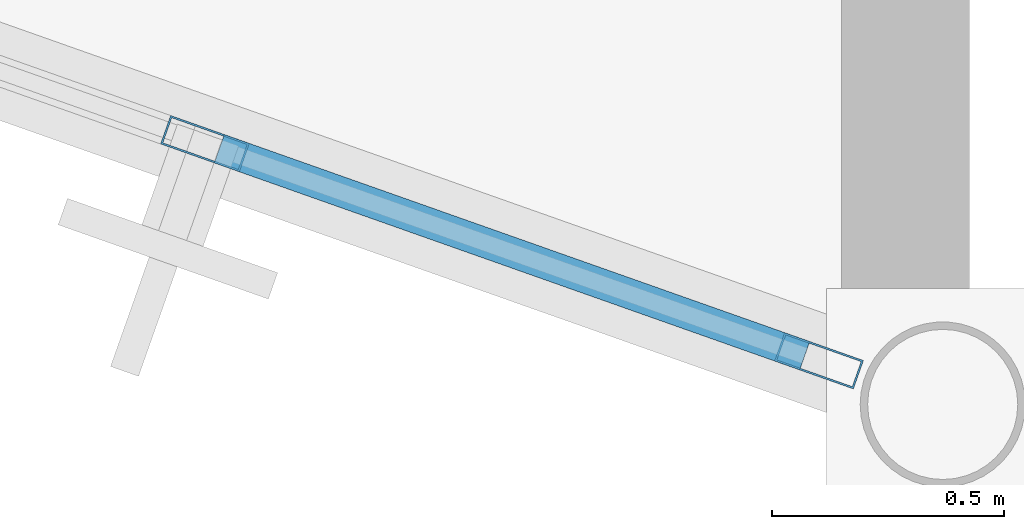
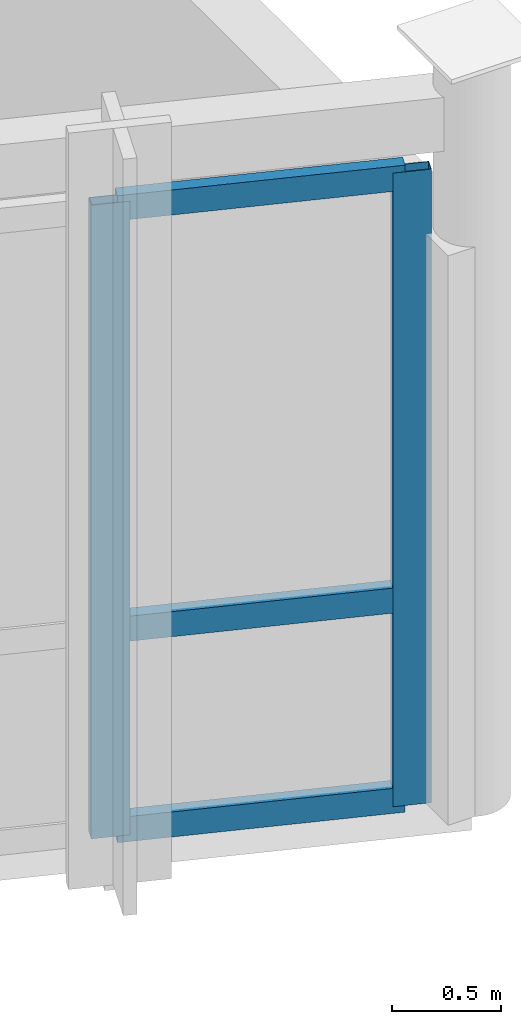
# One storey, part 11 of 26: 5 members, 1 element without a shape of its own.
"""IFC4 building model written with IfcOpenShell, lengths in metres."""

from ifc_helpers import new_model, si_unit, direction, frame, origin, origin_2d, place, context, subcontext, project, spatial, hollow_rectangle, extrude, material, layer, layer_set, material_profile, profile_set, type_object, element, aggregate, save


model = new_model("IFC4")

# Units and contexts
model_context = context("Model", 3, precision=1e-05, world=origin(), true_north=direction((0.0, 1.0)))
body_context = subcontext(model_context, "Body", "Model", "MODEL_VIEW")
ifc_project = project(units=[si_unit("LENGTHUNIT", "METRE"), si_unit("AREAUNIT", "SQUARE_METRE"), si_unit("VOLUMEUNIT", "CUBIC_METRE"), si_unit("PLANEANGLEUNIT", "RADIAN"), si_unit("MASSUNIT", "GRAM", prefix="KILO")], contexts=[model_context])

# Site, building, storey
site_placement = place(None, origin())
site = spatial("IfcSite", under=ifc_project, at=site_placement, CompositionType="ELEMENT")
building_placement = place(site_placement, origin())
building = spatial("IfcBuilding", under=site, at=building_placement, Name="Selat Folded Stagehouse", CompositionType="ELEMENT")
storey_placement = place(building_placement, frame((0.0, 0.0, 23.39990234375)))
storey = spatial("IfcBuildingStorey", under=building, at=storey_placement, Name="L05", CompositionType="ELEMENT", Elevation=23.39990234375)

# Curtain wall, members
ifc_material = material(Name="Aluminium 6063-T6", Category="aluminium")
ifc_layer = layer(ifc_material, 0.18505859375)
ifc_layer_set = layer_set([ifc_layer], Name="Aluminium 6063-T6")
curtain_wall_type = type_object("IfcCurtainWallType", Name="CW-DRM-UPPER", PredefinedType="NOTDEFINED", material=ifc_layer_set)
curtain_wall_placement = place(storey_placement, origin())
curtain_wall = element("IfcCurtainWall", 1, at=curtain_wall_placement, inside=storey, type_object=curtain_wall_type, Name="L05 curtain wall CW-DRM-L05-19", PredefinedType="NOTDEFINED")
ifc_material_profile_1 = material_profile(ifc_material, hollow_rectangle(XDim=0.06494140625, YDim=0.179931640625, WallThickness=0.00390625, at=origin_2d()), Name="ALU 180x65x4.0")
ifc_profile_set_1 = profile_set([ifc_material_profile_1], Name="Aluminium 6063-T6")
member_type_1 = type_object("IfcMemberType", Name="CWM-MUL-180x65", PredefinedType="MULLION", material=ifc_profile_set_1)
member_1_placement = place(storey_placement, frame((33.333740234375, 2.304931640625, 0.0), z_axis=(0.0, 0.0, 1.0), x_axis=(-0.333314148838, -0.942815824106, 0.0)))
member_1 = element("IfcMember", 2, at=member_1_placement, type_object=member_type_1, Name="CW-03 mullion 1", PredefinedType="MULLION", context=body_context, shape_type="SweptSolid", body=[
    extrude(hollow_rectangle(XDim=0.06494140625, YDim=0.179931640625, WallThickness=0.00390625, at=origin_2d()), origin(), (0.0, 0.0, 1.0), 3.53515625),
])
member_2_placement = place(storey_placement, frame((32.01171875, 2.7724609375, 0.0), z_axis=(0.0, 0.0, 1.0), x_axis=(-0.333314148838, -0.942815824106, 0.0)))
member_2 = element("IfcMember", 3, at=member_2_placement, type_object=member_type_1, Name="CW-03 mullion 2", PredefinedType="MULLION", context=body_context, shape_type="SweptSolid", body=[
    extrude(hollow_rectangle(XDim=0.06494140625, YDim=0.179931640625, WallThickness=0.00390625, at=origin_2d()), origin(), (0.0, 0.0, 1.0), 3.53515625),
])
ifc_material_profile_2 = material_profile(ifc_material, hollow_rectangle(XDim=0.06494140625, YDim=0.139892578125, WallThickness=0.00390625, at=origin_2d()), Name="ALU 140x65x4.0")
ifc_profile_set_2 = profile_set([ifc_material_profile_2], Name="Aluminium 6063-T6")
member_type_2 = type_object("IfcMemberType", Name="CWM-TRN-140x65", PredefinedType="USERDEFINED", material=ifc_profile_set_2)
member_3_placement = place(storey_placement, frame((33.302978515625, 2.31591796875, 0.03271484375), z_axis=(-0.942831774674, 0.333269027461, 0.0), x_axis=(-0.333269027461, -0.942831774674, 0.0)))
member_3 = element("IfcMember", 4, at=member_3_placement, type_object=member_type_2, Name="CW-03 transom 1.1", ObjectType="TRANSOM", PredefinedType="USERDEFINED", context=body_context, shape_type="SweptSolid", body=[
    extrude(hollow_rectangle(XDim=0.06494140625, YDim=0.139892578125, WallThickness=0.00390625, at=origin_2d()), origin(), (0.0, 0.0, 1.0), 1.3369140625),
])
member_4_placement = place(storey_placement, frame((33.302978515625, 2.31591796875, 1.150146484375), z_axis=(-0.942831774674, 0.333269027461, 0.0), x_axis=(-0.333269027461, -0.942831774674, 0.0)))
member_4 = element("IfcMember", 5, at=member_4_placement, type_object=member_type_2, Name="CW-03 transom 1.2", ObjectType="TRANSOM", PredefinedType="USERDEFINED", context=body_context, shape_type="SweptSolid", body=[
    extrude(hollow_rectangle(XDim=0.06494140625, YDim=0.139892578125, WallThickness=0.00390625, at=origin_2d()), origin(), (0.0, 0.0, 1.0), 1.3369140625),
])
member_5_placement = place(storey_placement, frame((33.302978515625, 2.31591796875, 3.502685546875), z_axis=(-0.942831774674, 0.333269027461, 0.0), x_axis=(-0.333269027461, -0.942831774674, 0.0)))
member_5 = element("IfcMember", 6, at=member_5_placement, type_object=member_type_2, Name="CW-03 transom 1.3", ObjectType="TRANSOM", PredefinedType="USERDEFINED", context=body_context, shape_type="SweptSolid", body=[
    extrude(hollow_rectangle(XDim=0.06494140625, YDim=0.139892578125, WallThickness=0.00390625, at=origin_2d()), origin(), (0.0, 0.0, 1.0), 1.3369140625),
])
aggregate(curtain_wall, [member_1, member_2, member_3, member_4, member_5])

save(model, "model.ifc")
